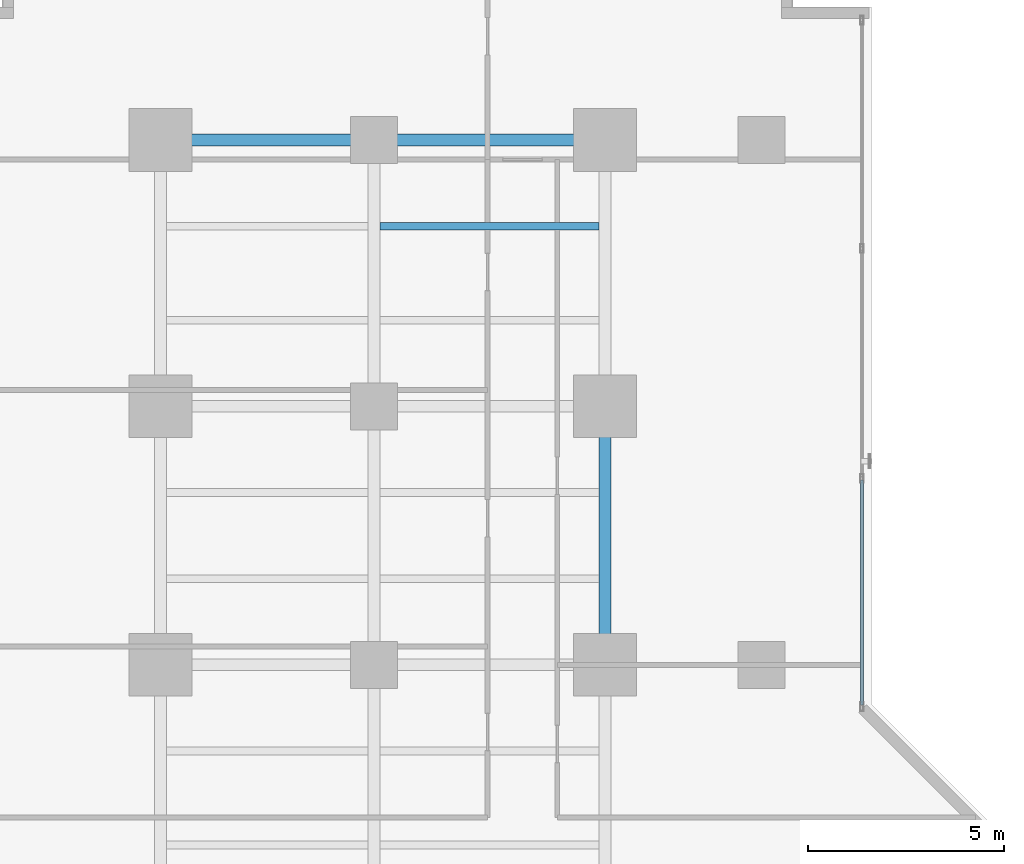
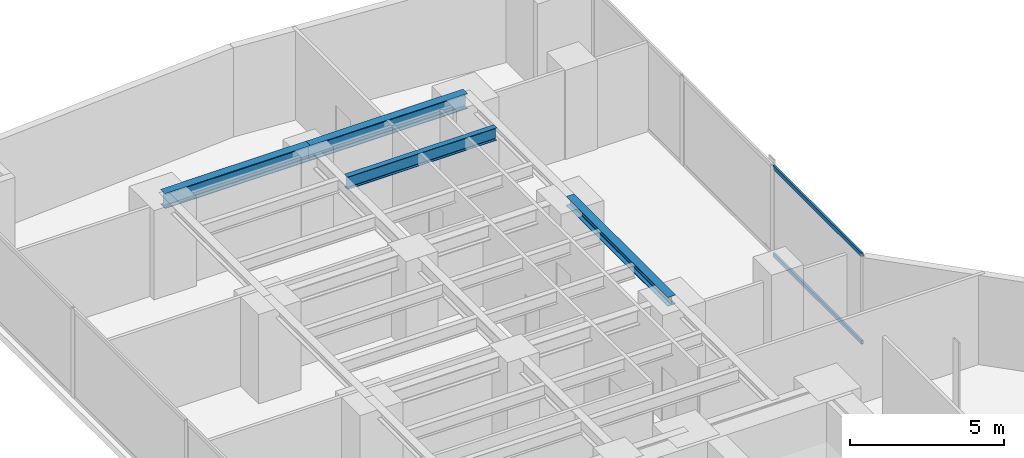
# One storey, part 18 of 27: 4 beams, 2 members, 1 element without a shape of its own.
"""IFC4 building model written with IfcOpenShell, lengths in metres."""

from ifc_helpers import new_model, si_unit, direction, frame, origin, origin_with_axes, origin_2d, place, context, subcontext, project, spatial, hollow_rectangle, i_section, extrude, source, transform, mapped, material, layer, layer_set, material_profile, profile_set, type_object, element, aggregate, save


model = new_model("IFC4")

# Units and contexts
model_context = context("Model", 3, precision=1e-05, world=origin(), true_north=direction((0.0, 1.0)))
body_context = subcontext(model_context, "Body", "Model", "MODEL_VIEW")
ifc_project = project(units=[si_unit("LENGTHUNIT", "METRE"), si_unit("AREAUNIT", "SQUARE_METRE"), si_unit("VOLUMEUNIT", "CUBIC_METRE"), si_unit("PLANEANGLEUNIT", "RADIAN"), si_unit("MASSUNIT", "GRAM", prefix="KILO")], contexts=[model_context])

# Site, building, storey
site_placement = place(None, origin())
site = spatial("IfcSite", under=ifc_project, at=site_placement, CompositionType="ELEMENT")
building_placement = place(site_placement, origin())
building = spatial("IfcBuilding", under=site, at=building_placement, Name="Kolvaren Waterfront Exchange", CompositionType="ELEMENT")
storey_placement = place(building_placement, frame((0.0, 0.0, 60.0)))
storey = spatial("IfcBuildingStorey", under=building, at=storey_placement, Name="L15", CompositionType="ELEMENT", Elevation=60.0)

# Beams
ifc_material_1 = material(Name="Steel S355", Category="steel")
ifc_material_profile_1 = material_profile(ifc_material_1, i_section(OverallWidth=0.300048828125, OverallDepth=0.360107421875, WebThickness=0.012451171875, FlangeThickness=0.0224609375, FilletRadius=0.027099609375, at=origin_2d()), Name="HEB360")
ifc_profile_set_1 = profile_set([ifc_material_profile_1], Name="Steel S355")
beam_type_1 = type_object("IfcBeamType", Name="STR-BM-HEB360", PredefinedType="SPANDREL", material=ifc_profile_set_1)
beam_1_placement = place(storey_placement, frame((18.800048828125, 31.199951171875, 3.360107421875), z_axis=(0.0, 1.0, 0.0), x_axis=(-1.0, 0.0, 0.0)))
element("IfcBeam", 1, at=beam_1_placement, inside=storey, type_object=beam_type_1, Name="L15 north-arm edge beam 2", PredefinedType="SPANDREL", context=body_context, shape_type="SweptSolid", body=[
    extrude(i_section(OverallWidth=0.300048828125, OverallDepth=0.360107421875, WebThickness=0.012451171875, FlangeThickness=0.0224609375, FilletRadius=0.027099609375, at=origin_2d()), origin(), (0.0, 0.0, 1.0), 6.60009765625),
])
ifc_material_profile_2 = material_profile(ifc_material_1, i_section(OverallWidth=0.300048828125, OverallDepth=0.60009765625, WebThickness=0.015380859375, FlangeThickness=0.030029296875, FilletRadius=0.027099609375, at=origin_2d()), Name="HEB600")
ifc_profile_set_2 = profile_set([ifc_material_profile_2], Name="Steel S355")
beam_type_2 = type_object("IfcBeamType", Name="STR-BM-HEB600", PredefinedType="BEAM", material=ifc_profile_set_2)
beam_2_placement = place(storey_placement, frame((7.449951171875, 44.60009765625, 3.239990234375), z_axis=(1.0, 0.0, 0.0), x_axis=(0.0, 1.0, 0.0)))
element("IfcBeam", 2, at=beam_2_placement, inside=storey, type_object=beam_type_2, Name="L15 north-arm girder 4A", PredefinedType="BEAM", context=body_context, shape_type="SweptSolid", body=[
    extrude(i_section(OverallWidth=0.300048828125, OverallDepth=0.60009765625, WebThickness=0.015380859375, FlangeThickness=0.030029296875, FilletRadius=0.027099609375, at=origin_2d()), origin(), (0.0, 0.0, 1.0), 5.449951171875),
])
beam_3_placement = place(storey_placement, frame((12.89990234375, 44.60009765625, 3.239990234375), z_axis=(1.0, 0.0, 0.0), x_axis=(0.0, 1.0, 0.0)))
element("IfcBeam", 3, at=beam_3_placement, inside=storey, type_object=beam_type_2, Name="L15 north-arm girder 4B", PredefinedType="BEAM", context=body_context, shape_type="SweptSolid", body=[
    extrude(i_section(OverallWidth=0.300048828125, OverallDepth=0.60009765625, WebThickness=0.015380859375, FlangeThickness=0.030029296875, FilletRadius=0.027099609375, at=origin_2d()), origin(), (0.0, 0.0, 1.0), 5.900146484375),
])
ifc_material_profile_3 = material_profile(ifc_material_1, i_section(OverallWidth=0.199951171875, OverallDepth=0.5, WebThickness=0.01025390625, FlangeThickness=0.01611328125, FilletRadius=0.02099609375, at=origin_2d()), Name="IPE500")
ifc_profile_set_3 = profile_set([ifc_material_profile_3], Name="Steel S355")
beam_type_3 = type_object("IfcBeamType", Name="STR-BM-IPE500", PredefinedType="JOIST", material=ifc_profile_set_3)
beam_4_placement = place(storey_placement, frame((13.052001953125, 42.39990234375, 3.2900390625), z_axis=(1.0, 0.0, 0.0), x_axis=(0.0, 1.0, 0.0)))
element("IfcBeam", 4, at=beam_4_placement, inside=storey, type_object=beam_type_3, Name="L15 north-arm composite joist 6B", PredefinedType="JOIST", context=body_context, shape_type="SweptSolid", body=[
    extrude(i_section(OverallWidth=0.199951171875, OverallDepth=0.5, WebThickness=0.01025390625, FlangeThickness=0.01611328125, FilletRadius=0.02099609375, at=origin_2d()), origin(), (0.0, 0.0, 1.0), 5.595947265625),
])

# Curtain wall, members
ifc_material_2 = material(Name="Anodised bronze aluminium 6063-T6", Category="aluminium")
ifc_layer = layer(ifc_material_2, 0.219970703125, Name="Anodised bronze aluminium 6063-T6")
ifc_layer_set = layer_set([ifc_layer], Name="Anodised bronze aluminium 6063-T6")
curtain_wall_type = type_object("IfcCurtainWallType", Name="ARC-CW-SYS1", PredefinedType="USERDEFINED", material=ifc_layer_set)
curtain_wall_placement = place(storey_placement, origin())
curtain_wall = element("IfcCurtainWall", 5, at=curtain_wall_placement, inside=storey, type_object=curtain_wall_type, Name="L15 stick curtain wall CW1 (CW-L15-NE)", ObjectType="STICK CURTAIN WALL", PredefinedType="USERDEFINED")
ifc_material_3 = material(Name="Anodised aluminium 6063-T6", Category="aluminium")
ifc_material_profile_4 = material_profile(ifc_material_3, hollow_rectangle(XDim=0.074951171875, YDim=0.159912109375, WallThickness=0.00439453125, at=origin_2d()), Name="ALU-TRN-160x75x4.5")
ifc_profile_set_4 = profile_set([ifc_material_profile_4], Name="Anodised aluminium 6063-T6")
member_type = type_object("IfcMemberType", Name="ARC-CWT-160", PredefinedType="USERDEFINED", material=ifc_profile_set_4)
shared_shape = source(origin_with_axes(), body_context, "Body", "SweptSolid", [
    extrude(hollow_rectangle(XDim=0.074951171875, YDim=0.159912109375, WallThickness=0.00439453125, at=origin_2d()), origin(), (0.0, 0.0, 1.0), 5.75),
])
member_1_placement = place(storey_placement, frame((25.360107421875, 30.169921875, 0.03759765625), z_axis=(0.0, 1.0, 0.0), x_axis=(-1.0, 0.0, 0.0)))
member_1 = element("IfcMember", 6, at=member_1_placement, type_object=member_type, Name="CW1 transom 1.1", ObjectType="TRANSOM", PredefinedType="USERDEFINED", context=body_context, shape_type="MappedRepresentation", body=[
    mapped(shared_shape, transform((0.0, 0.0, 0.0), x_axis=(1.0, 0.0, 0.0), y_axis=(0.0, 1.0, 0.0), z_axis=(0.0, 0.0, 1.0), scale=1.0)),
])
member_2_placement = place(storey_placement, frame((25.360107421875, 30.169921875, 3.50244140625), z_axis=(0.0, 1.0, 0.0), x_axis=(-1.0, 0.0, 0.0)))
member_2 = element("IfcMember", 7, at=member_2_placement, type_object=member_type, Name="CW1 transom 1.2", ObjectType="TRANSOM", PredefinedType="USERDEFINED", context=body_context, shape_type="MappedRepresentation", body=[
    mapped(shared_shape, transform((0.0, 0.0, 0.0), x_axis=(1.0, 0.0, 0.0), y_axis=(0.0, 1.0, 0.0), z_axis=(0.0, 0.0, 1.0), scale=1.0)),
])
aggregate(curtain_wall, [member_1, member_2])

save(model, "model.ifc")
